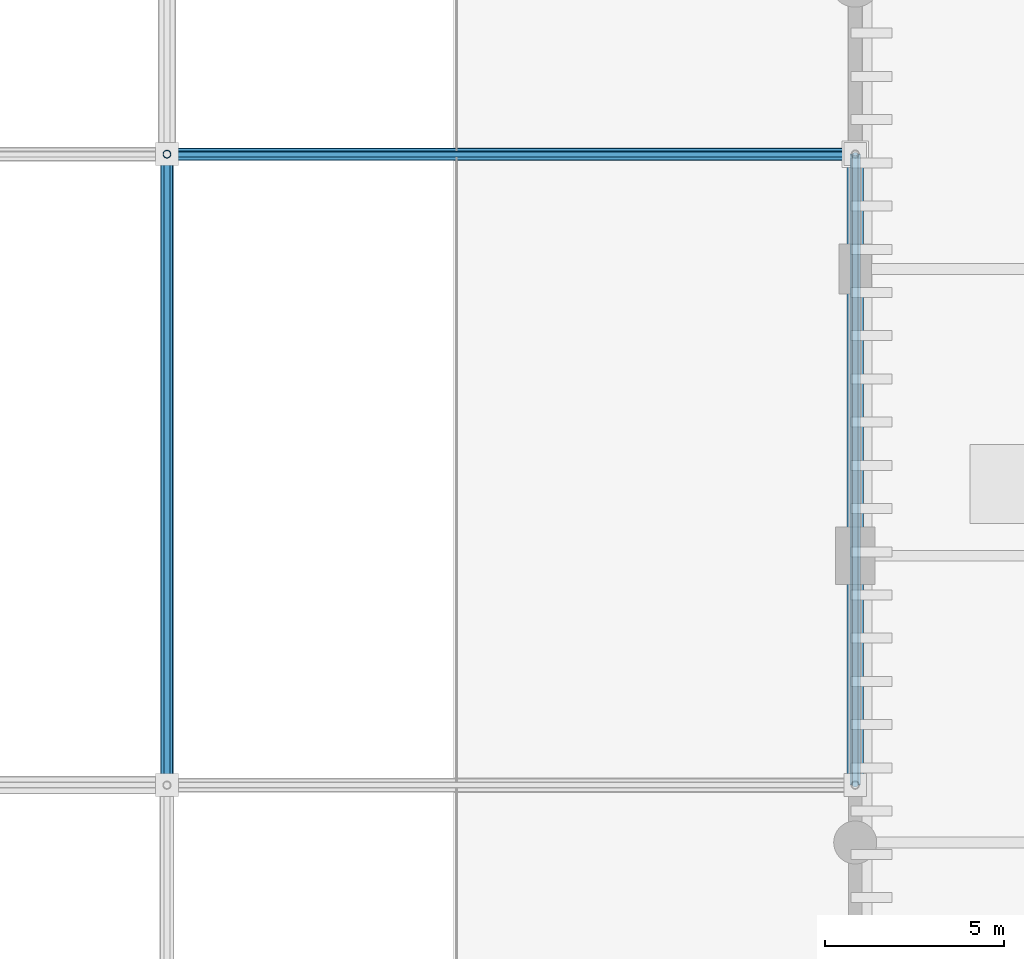
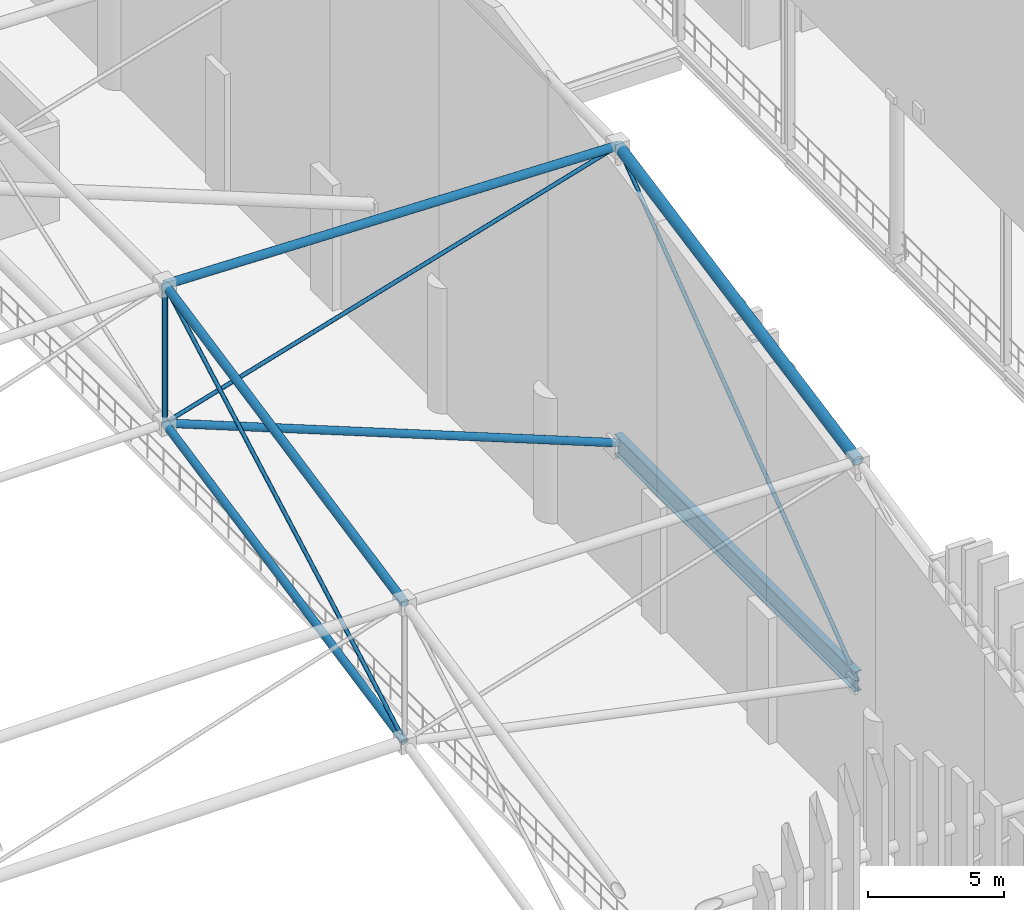
# One storey, part 65 of 193: 9 members, 1 beam.
"""IFC4 building model written with IfcOpenShell, lengths in metres."""

from ifc_helpers import new_model, si_unit, direction, frame, origin, origin_2d, place, context, subcontext, project, spatial, hollow_circle, i_section, extrude, material, material_profile, profile_set, type_object, element, save


model = new_model("IFC4")

# Units and contexts
model_context = context("Model", 3, precision=1e-05, world=origin(), true_north=direction((0.0, 1.0)))
body_context = subcontext(model_context, "Body", "Model", "MODEL_VIEW")
ifc_project = project(units=[si_unit("LENGTHUNIT", "METRE"), si_unit("AREAUNIT", "SQUARE_METRE"), si_unit("VOLUMEUNIT", "CUBIC_METRE"), si_unit("PLANEANGLEUNIT", "RADIAN"), si_unit("MASSUNIT", "GRAM", prefix="KILO")], contexts=[model_context])

# Site, building, storey
site_placement = place(None, origin())
site = spatial("IfcSite", under=ifc_project, at=site_placement, CompositionType="ELEMENT")
building_placement = place(site_placement, origin())
building = spatial("IfcBuilding", under=site, at=building_placement, Name="Danafjord Basin Convention Centre", CompositionType="ELEMENT")
storey_placement = place(building_placement, frame((0.0, 0.0, 11.39990234375)))
storey = spatial("IfcBuildingStorey", under=building, at=storey_placement, Name="L02", CompositionType="ELEMENT", Elevation=11.39990234375)

# Beam
ifc_material = material(Name="Steel S355", Category="steel")
ifc_material_profile_1 = material_profile(ifc_material, i_section(OverallWidth=0.300048828125, OverallDepth=0.89990234375, WebThickness=0.0185546875, FlangeThickness=0.034912109375, FilletRadius=0.030029296875, at=origin_2d()), Name="HEB 900")
ifc_profile_set_1 = profile_set([ifc_material_profile_1], Name="Steel S355")
beam_type = type_object("IfcBeamType", Name="BEAM-BM-HEB900", PredefinedType="BEAM", material=ifc_profile_set_1)
beam_placement = place(storey_placement, frame((115.199951171875, 73.60009765625, 6.050048828125), z_axis=(0.0, 1.0, 0.0), x_axis=(-1.0, 0.0, 0.0)))
element("IfcBeam", 1, at=beam_placement, inside=storey, type_object=beam_type, Name="V1 space-frame perimeter ring girder", PredefinedType="BEAM", context=body_context, shape_type="SweptSolid", body=[
    extrude(i_section(OverallWidth=0.300048828125, OverallDepth=0.89990234375, WebThickness=0.0185546875, FlangeThickness=0.034912109375, FilletRadius=0.030029296875, at=origin_2d()), origin(), (0.0, 0.0, 1.0), 17.599853515625),
])

# Members
ifc_material_profile_2 = material_profile(ifc_material, hollow_circle(Radius=0.161865234375, WallThickness=0.01611328125, at=origin_2d()), Name="CHS 323.9x16.0")
ifc_profile_set_2 = profile_set([ifc_material_profile_2], Name="Steel S355")
member_type_1 = type_object("IfcMemberType", Name="MEM-CH-CHS324", PredefinedType="CHORD", material=ifc_profile_set_2)
member_1_placement = place(storey_placement, frame((96.0, 73.60009765625, 10.07080078125), z_axis=(0.0, 0.979881323985, 0.19958103844), x_axis=(-1.0, 0.0, 0.0)))
element("IfcMember", 2, at=member_1_placement, inside=storey, type_object=member_type_1, Name="V1 roof truss transverse bottom chord", PredefinedType="CHORD", context=body_context, shape_type="SweptSolid", body=[
    extrude(hollow_circle(Radius=0.161865234375, WallThickness=0.01611328125, at=origin_2d()), origin(), (0.0, 0.0, 1.0), 17.961181640625),
])
member_2_placement = place(storey_placement, frame((96.0, 91.199951171875, 13.655517578125), z_axis=(0.929715641975, 0.0, -0.368278189779), x_axis=(0.0, 1.0, 0.0)))
element("IfcMember", 3, at=member_2_placement, inside=storey, type_object=member_type_1, Name="V1 roof truss longitudinal bottom chord", PredefinedType="CHORD", context=body_context, shape_type="SweptSolid", body=[
    extrude(hollow_circle(Radius=0.161865234375, WallThickness=0.01611328125, at=origin_2d()), origin(), (0.0, 0.0, 1.0), 20.6513671875),
])
ifc_material_profile_3 = material_profile(ifc_material, hollow_circle(Radius=0.177734375, WallThickness=0.01611328125, at=origin_2d()), Name="CHS 355.6x16.0")
ifc_profile_set_3 = profile_set([ifc_material_profile_3], Name="Steel S355")
member_type_2 = type_object("IfcMemberType", Name="MEM-CH-CHS355", PredefinedType="CHORD", material=ifc_profile_set_3)
member_3_placement = place(storey_placement, frame((96.0, 73.60009765625, 16.27099609375), z_axis=(0.0, 0.979883982164, 0.199567987157), x_axis=(-1.0, 0.0, 0.0)))
element("IfcMember", 4, at=member_3_placement, inside=storey, type_object=member_type_2, Name="V1 roof truss transverse top chord", PredefinedType="CHORD", context=body_context, shape_type="SweptSolid", body=[
    extrude(hollow_circle(Radius=0.177734375, WallThickness=0.01611328125, at=origin_2d()), origin(), (0.0, 0.0, 1.0), 17.961181640625),
])
member_4_placement = place(storey_placement, frame((96.0, 91.199951171875, 19.85546875), z_axis=(0.999667997744, 0.0, -0.025766146147), x_axis=(0.0, 1.0, 0.0)))
element("IfcMember", 5, at=member_4_placement, inside=storey, type_object=member_type_2, Name="V1 roof truss longitudinal top chord", PredefinedType="CHORD", context=body_context, shape_type="SweptSolid", body=[
    extrude(hollow_circle(Radius=0.177734375, WallThickness=0.01611328125, at=origin_2d()), origin(), (0.0, 0.0, 1.0), 19.206298828125),
])
ifc_material_profile_4 = material_profile(ifc_material, hollow_circle(Radius=0.228515625, WallThickness=0.02001953125, at=origin_2d()), Name="CHS 457.0x20.0")
ifc_profile_set_4 = profile_set([ifc_material_profile_4], Name="Steel S355")
member_type_3 = type_object("IfcMemberType", Name="MEM-CH-CHS457", PredefinedType="CHORD", material=ifc_profile_set_4)
member_5_placement = place(storey_placement, frame((115.199951171875, 73.60009765625, 15.910888671875), z_axis=(0.0, 0.981326851087, 0.192347631481), x_axis=(-1.0, 0.0, 0.0)))
element("IfcMember", 6, at=member_5_placement, inside=storey, type_object=member_type_3, Name="V1 roof truss transverse top chord", PredefinedType="CHORD", context=body_context, shape_type="SweptSolid", body=[
    extrude(hollow_circle(Radius=0.228515625, WallThickness=0.02001953125, at=origin_2d()), origin(), (0.0, 0.0, 1.0), 17.934814453125),
])
ifc_material_profile_5 = material_profile(ifc_material, hollow_circle(Radius=0.109619140625, WallThickness=0.010009765625, at=origin_2d()), Name="CHS 219.1x10.0")
ifc_profile_set_5 = profile_set([ifc_material_profile_5], Name="Steel S355")
member_type_4 = type_object("IfcMemberType", Name="MEM-ST-CHS219", PredefinedType="STRUT", material=ifc_profile_set_5)
member_6_placement = place(storey_placement, frame((96.0, 91.199951171875, 13.655517578125), z_axis=(0.0, 0.0, 1.0), x_axis=(1.0, 0.0, 0.0)))
element("IfcMember", 7, at=member_6_placement, inside=storey, type_object=member_type_4, Name="V1 roof truss vertical strut", PredefinedType="STRUT", context=body_context, shape_type="SweptSolid", body=[
    extrude(hollow_circle(Radius=0.109619140625, WallThickness=0.010009765625, at=origin_2d()), origin(), (0.0, 0.0, 1.0), 6.199951171875),
])
ifc_material_profile_6 = material_profile(ifc_material, hollow_circle(Radius=0.084228515625, WallThickness=0.008056640625, at=origin_2d()), Name="CHS 168.3x8.0")
ifc_profile_set_6 = profile_set([ifc_material_profile_6], Name="Steel S355")
member_type_5 = type_object("IfcMemberType", Name="MEM-WB-CHS168", PredefinedType="MEMBER", material=ifc_profile_set_6)
member_7_placement = place(storey_placement, frame((96.0, 73.60009765625, 10.07080078125), z_axis=(0.0, 0.874010260641, 0.485907464744), x_axis=(-1.0, 0.0, 0.0)))
element("IfcMember", 8, at=member_7_placement, inside=storey, type_object=member_type_5, Name="V1 space-frame transverse web", PredefinedType="MEMBER", context=body_context, shape_type="SweptSolid", body=[
    extrude(hollow_circle(Radius=0.084228515625, WallThickness=0.008056640625, at=origin_2d()), origin(), (0.0, 0.0, 1.0), 20.136962890625),
])
member_8_placement = place(storey_placement, frame((96.0, 91.199951171875, 13.655517578125), z_axis=(0.958577469769, 0.0, 0.284831940714), x_axis=(0.0, 1.0, 0.0)))
element("IfcMember", 9, at=member_8_placement, inside=storey, type_object=member_type_5, Name="V1 space-frame longitudinal web", PredefinedType="MEMBER", context=body_context, shape_type="SweptSolid", body=[
    extrude(hollow_circle(Radius=0.084228515625, WallThickness=0.008056640625, at=origin_2d()), origin(), (0.0, 0.0, 1.0), 20.029541015625),
])
member_9_placement = place(storey_placement, frame((115.199951171875, 73.60009765625, 6.050048828125), z_axis=(0.0, 0.797586497106, 0.603204591855), x_axis=(-1.0, 0.0, 0.0)))
element("IfcMember", 10, at=member_9_placement, inside=storey, type_object=member_type_5, Name="V1 space-frame transverse web", PredefinedType="MEMBER", context=body_context, shape_type="SweptSolid", body=[
    extrude(hollow_circle(Radius=0.084228515625, WallThickness=0.008056640625, at=origin_2d()), origin(), (0.0, 0.0, 1.0), 22.06640625),
])

save(model, "model.ifc")
